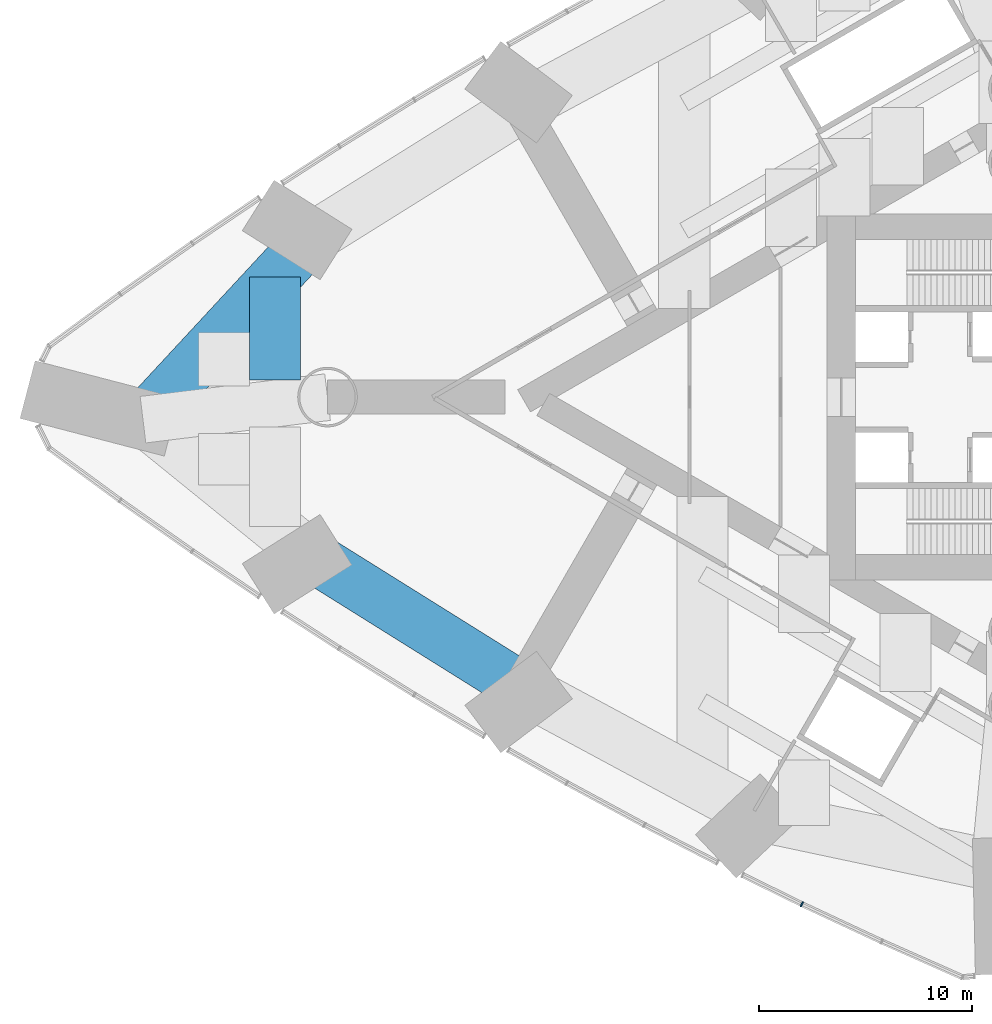
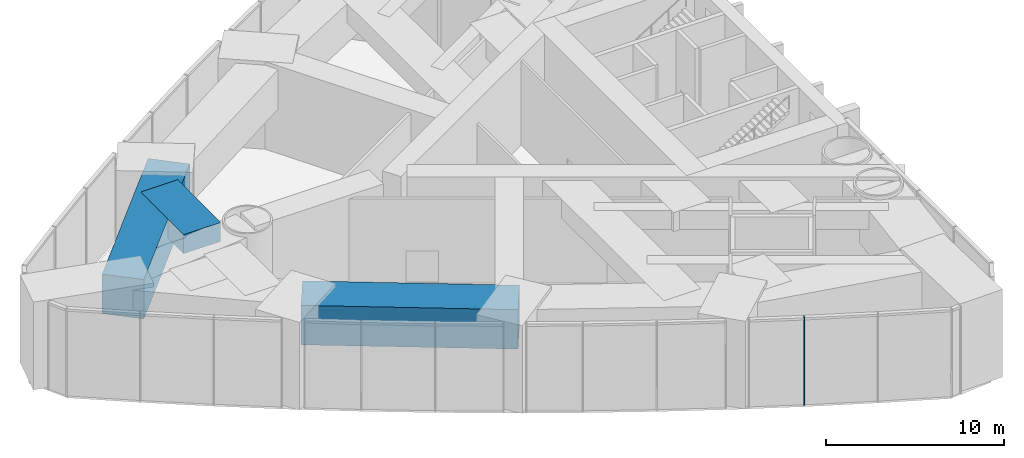
# One storey, part 3 of 18: 3 beams, 1 member, 1 element without a shape of its own.
"""IFC4 building model written with IfcOpenShell, lengths in metres."""

from ifc_helpers import new_model, si_unit, direction, frame, origin, origin_2d, place, context, subcontext, project, spatial, rectangle, extrude, material, material_profile, profile_set, type_object, element, aggregate, save


model = new_model("IFC4")

# Units and contexts
model_context = context("Model", 3, precision=1e-05, world=origin(), true_north=direction((0.0, 1.0)))
body_context = subcontext(model_context, "Body", "Model", "MODEL_VIEW")
ifc_project = project(units=[si_unit("LENGTHUNIT", "METRE"), si_unit("AREAUNIT", "SQUARE_METRE"), si_unit("VOLUMEUNIT", "CUBIC_METRE"), si_unit("PLANEANGLEUNIT", "RADIAN"), si_unit("MASSUNIT", "GRAM", prefix="KILO")], contexts=[model_context])

# Site, building, storey
site_placement = place(None, origin())
site = spatial("IfcSite", under=ifc_project, at=site_placement, CompositionType="ELEMENT")
building_placement = place(site_placement, origin())
building = spatial("IfcBuilding", under=site, at=building_placement, Name="Lancet Gate Hotel", CompositionType="ELEMENT")
storey_placement = place(building_placement, frame((0.0, 0.0, 81.0)))
storey = spatial("IfcBuildingStorey", under=building, at=storey_placement, Name="L21", CompositionType="ELEMENT", Elevation=81.0)

# Curtain wall, member
ifc_material_1 = material(Name="Aluminium curtain wall", Category="aluminium")
curtain_wall_type = type_object("IfcCurtainWallType", Name="Refuge storey louvred curtain wall", PredefinedType="USERDEFINED", material=ifc_material_1)
curtain_wall_placement = place(storey_placement, origin())
curtain_wall = element("IfcCurtainWall", 1, at=curtain_wall_placement, inside=storey, type_object=curtain_wall_type, Name="T1 L21 curtain wall 9", ObjectType="LANTERN GLAZING", PredefinedType="USERDEFINED")
ifc_material_2 = material(Name="Aluminium mullion", Category="aluminium")
ifc_material_profile_1 = material_profile(ifc_material_2, rectangle(XDim=0.06494140625, YDim=0.25, at=origin_2d()), Name="MULLION 65x250")
ifc_profile_set_1 = profile_set([ifc_material_profile_1], Name="Aluminium mullion")
member_type = type_object("IfcMemberType", Name="Aluminium mullion 65x250", PredefinedType="MULLION", material=ifc_profile_set_1)
member_placement = place(storey_placement, frame((-39.225341796875, -23.816650390625, 0.0), z_axis=(0.0, 0.0, 1.0), x_axis=(0.902528866605, -0.43062935913, 0.0)))
member = element("IfcMember", 2, at=member_placement, type_object=member_type, Name="T1 L21 curtain wall 9 mullion 2", PredefinedType="MULLION", context=body_context, shape_type="SweptSolid", body=[
    extrude(rectangle(XDim=0.06494140625, YDim=0.25, at=origin_2d()), origin(), (0.0, 0.0, 1.0), 6.0),
])
aggregate(curtain_wall, [member])

# Beams
ifc_material_3 = material(Name="Concrete C50/60", Category="concrete")
ifc_material_profile_2 = material_profile(ifc_material_3, rectangle(XDim=2.39990234375, YDim=1.300048828125, at=origin_2d()), Name="RC 2400x1300")
ifc_profile_set_2 = profile_set([ifc_material_profile_2], Name="Concrete C50/60")
beam_type_1 = type_object("IfcBeamType", Name="Floor beam RC 2400x1300", PredefinedType="BEAM", material=ifc_profile_set_2)
beam_1_placement = place(storey_placement, frame((-63.96826171875, 5.6298828125, 5.10009765625), z_axis=(0.0, -1.0, 0.0), x_axis=(1.0, 0.0, 0.0)))
element("IfcBeam", 3, at=beam_1_placement, inside=storey, type_object=beam_type_1, Name="T1 floor beam F10S L21", PredefinedType="BEAM", context=body_context, shape_type="SweptSolid", body=[
    extrude(rectangle(XDim=2.39990234375, YDim=1.300048828125, at=origin_2d()), origin(), (0.0, 0.0, 1.0), 4.823486328125),
])
ifc_material_4 = material(Name="Concrete C50/60", Category="concrete")
ifc_material_profile_3 = material_profile(ifc_material_4, rectangle(XDim=2.39990234375, YDim=2.699951171875, at=origin_2d()), Name="RC 2400x2700")
ifc_profile_set_3 = profile_set([ifc_material_profile_3], Name="Concrete C50/60")
beam_type_2 = type_object("IfcBeamType", Name="Tie ring beam RC 2400x2700", PredefinedType="SPANDREL", material=ifc_profile_set_3)
beam_2_placement = place(storey_placement, frame((-62.28662109375, 7.444580078125, 4.39990234375), z_axis=(-0.679718253794, -0.733473309303, 0.0), x_axis=(0.733473309303, -0.679718253794, 0.0)))
element("IfcBeam", 4, at=beam_2_placement, inside=storey, type_object=beam_type_2, Name="T1 tie ring beam RG3 L21", PredefinedType="SPANDREL", context=body_context, shape_type="SweptSolid", body=[
    extrude(rectangle(XDim=2.39990234375, YDim=2.699951171875, at=origin_2d()), origin(), (0.0, 0.0, 1.0), 11.594970703125),
])
beam_3_placement = place(storey_placement, frame((-62.28662109375, -7.444580078125, 4.39990234375), z_axis=(0.848062521637, -0.529896177939, 0.0), x_axis=(0.529896177939, 0.848062521637, 0.0)))
element("IfcBeam", 5, at=beam_3_placement, inside=storey, type_object=beam_type_2, Name="T1 tie ring beam RG3 L21", PredefinedType="SPANDREL", context=body_context, shape_type="SweptSolid", body=[
    extrude(rectangle(XDim=2.39990234375, YDim=2.699951171875, at=origin_2d()), origin(), (0.0, 0.0, 1.0), 12.173095703125),
])

save(model, "model.ifc")
